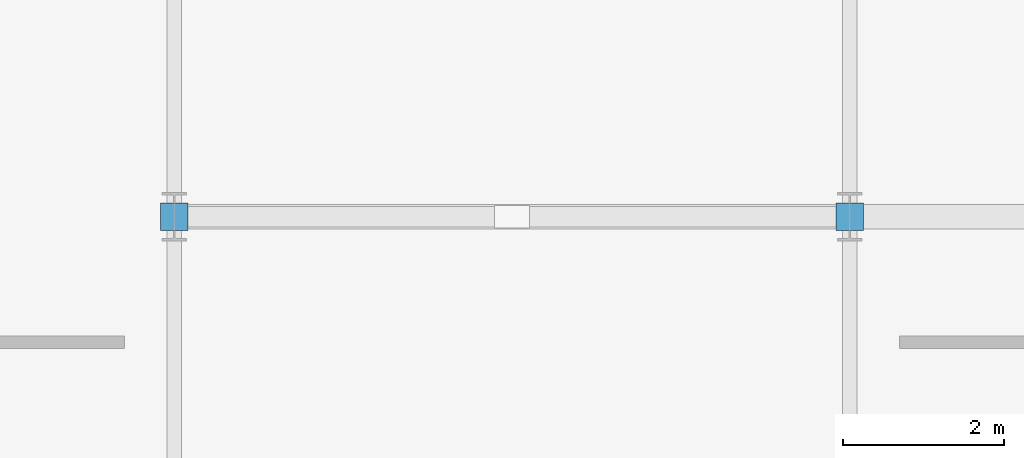
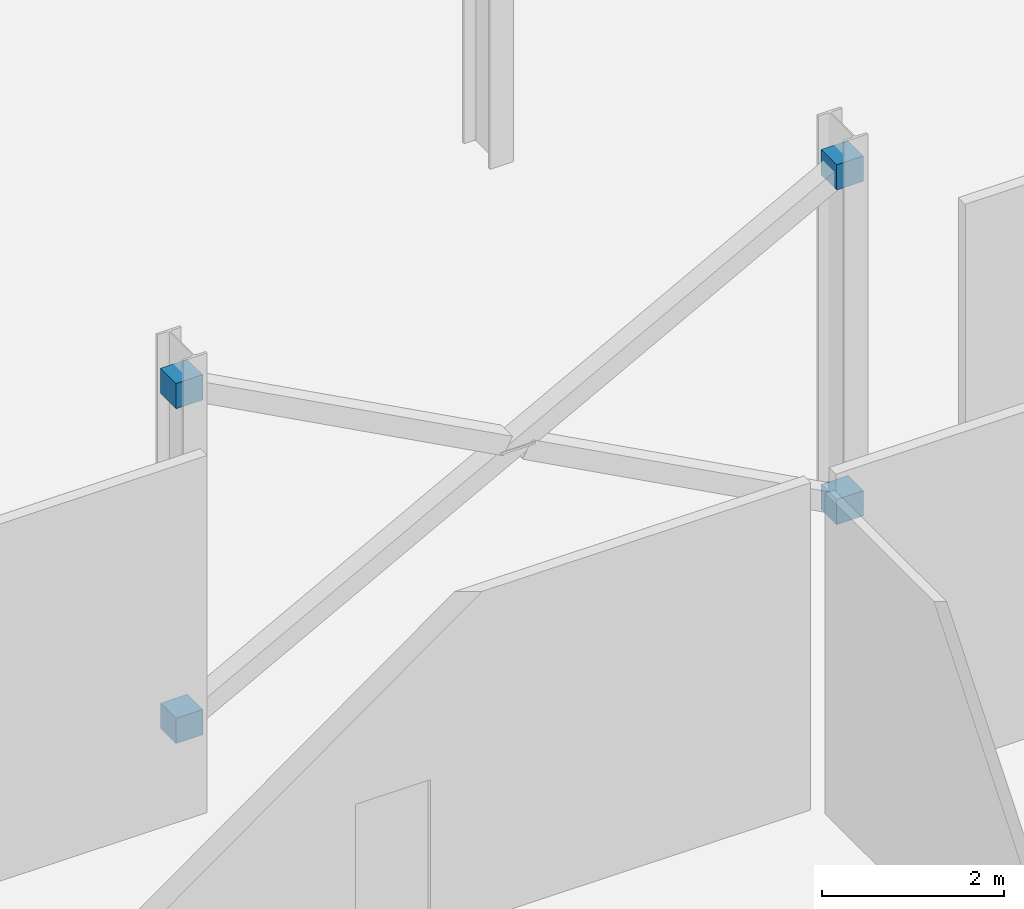
# One storey, part 64 of 80: 4 discrete accessories.
"""IFC4 building model written with IfcOpenShell, lengths in metres."""

from ifc_helpers import new_model, si_unit, direction, frame, origin, origin_2d, place, context, subcontext, project, spatial, rectangle, extrude, material, layer, layer_set, type_object, element, save


model = new_model("IFC4")

# Units and contexts
model_context = context("Model", 3, precision=1e-05, world=origin(), true_north=direction((0.0, 1.0)))
body_context = subcontext(model_context, "Body", "Model", "MODEL_VIEW")
ifc_project = project(units=[si_unit("LENGTHUNIT", "METRE"), si_unit("AREAUNIT", "SQUARE_METRE"), si_unit("VOLUMEUNIT", "CUBIC_METRE"), si_unit("PLANEANGLEUNIT", "RADIAN"), si_unit("MASSUNIT", "GRAM", prefix="KILO")], contexts=[model_context])

# Site, building, storey
site_placement = place(None, origin())
site = spatial("IfcSite", under=ifc_project, at=site_placement, CompositionType="ELEMENT")
building_placement = place(site_placement, origin())
building = spatial("IfcBuilding", under=site, at=building_placement, Name="Nabrawat Pavilion Hospital", CompositionType="ELEMENT")
storey_placement = place(building_placement, origin())
storey = spatial("IfcBuildingStorey", under=building, at=storey_placement, Name="L00", CompositionType="ELEMENT", Elevation=0.0)

# Discrete accessories
ifc_material = material(Name="Steel S355", Category="steel")
ifc_layer = layer(ifc_material, 0.02001953125, Name="Steel S355")
ifc_layer_set = layer_set([ifc_layer], Name="Steel S355")
discrete_accessory_type = type_object("IfcDiscreteAccessoryType", Name="Brace and Strut Gusset End Bracket 20", PredefinedType="BRACKET", material=ifc_layer_set)
for number, where, z_axis, x_axis, name in (
    (1, (109.199951171875, 101.39990234375, -0.1201171875), (0.0, 0.0, 1.0), (1.0, 0.0, 0.0), "L00 Brace and Strut Gusset End Connection 0021"),
    (2, (117.60009765625, 101.39990234375, 4.3798828125), (0.0, 0.0, 1.0), (1.0, 0.0, 0.0), "L00 Brace and Strut Gusset End Connection 0022"),
    (3, (109.199951171875, 101.39990234375, 4.3798828125), (0.0, 0.0, 1.0), (1.0, 0.0, 0.0), "L00 Brace and Strut Gusset End Connection 0023"),
    (4, (117.60009765625, 101.39990234375, -0.1201171875), (0.0, 0.0, 1.0), (1.0, 0.0, 0.0), "L00 Brace and Strut Gusset End Connection 0024"),
):
    element("IfcDiscreteAccessory", number, at=place(storey_placement, frame(where, z_axis=z_axis, x_axis=x_axis)), inside=storey, type_object=discrete_accessory_type, Name=name, PredefinedType="BRACKET", context=body_context, shape_type="SweptSolid", body=[
        extrude(rectangle(XDim=0.340087890625, YDim=0.340087890625, at=origin_2d()), origin(), (0.0, 0.0, 1.0), 0.340087890625),
    ])

save(model, "model.ifc")
